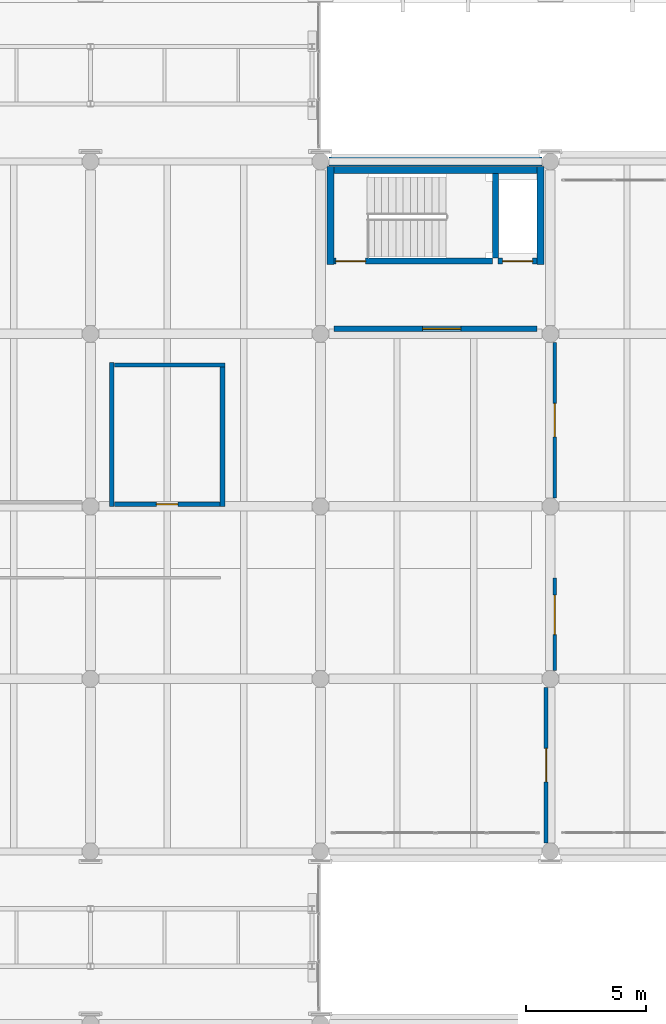
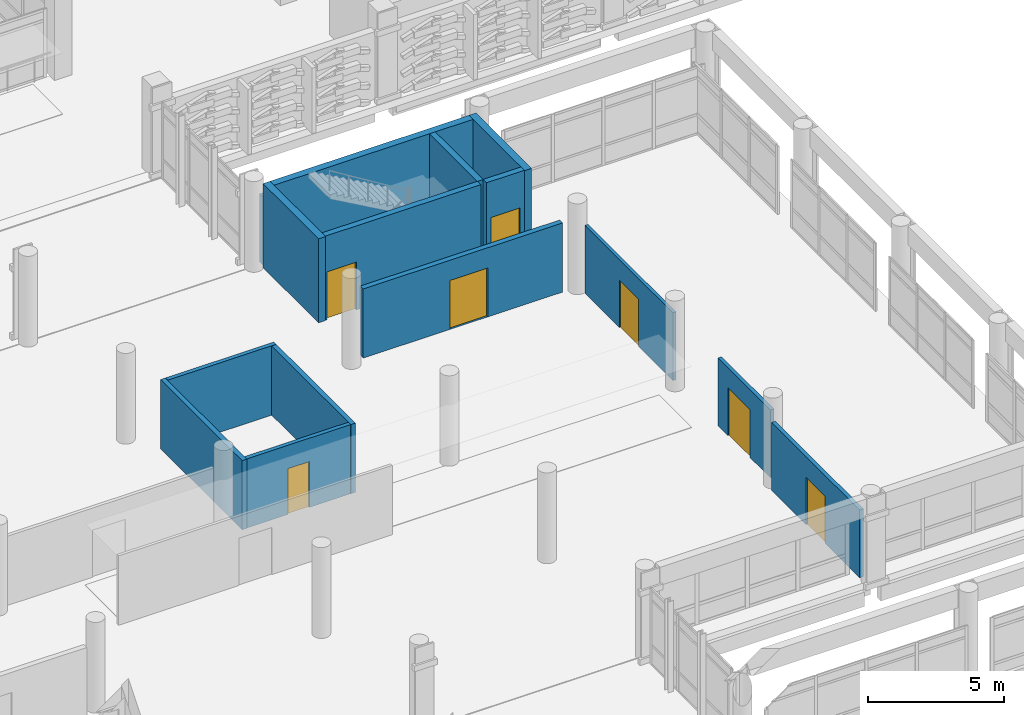
# One storey, part 152 of 180: 15 walls, 7 doors, 7 openings.
"""IFC4 building model written with IfcOpenShell, lengths in metres."""

import ifcopenshell
import ifcopenshell.guid

model = None  # the IFC model being written
_history = None  # IfcOwnerHistory: only IFC2X3 demands one
_inside = {}  # id of a spatial element -> (the spatial element, [elements in it])
_under = {}  # id of a project, library or spatial element -> (it, [spatial elements below it])
_declared = {}  # id of a project -> (the project, [libraries it declares])
_typed = {}  # id of a type object -> (the type object, [elements of that type])
_made_of = {}  # id of a material, layer set ... -> (it, [elements and type objects made of it])


def new_model(schema):
    """Start an empty IFC model of exactly this schema.

    Asked for "IFC4X3", IfcOpenShell would pick the latest addendum, in which some entities
    have other attributes; the version numbers below select the first issue.
    IFC2X3 requires an IfcOwnerHistory on every rooted entity: one is made here for all.
    """
    global model, _history
    if schema == "IFC4X3":
        model = ifcopenshell.file(schema_version=(4, 3, 0, 0))
    else:
        model = ifcopenshell.file(schema=schema)
    _inside.clear()
    _under.clear()
    _declared.clear()
    _typed.clear()
    _made_of.clear()
    _history = None
    if model.schema == "IFC2X3":
        org = make("IfcOrganization", Name="unknown")
        user = make(
            "IfcPersonAndOrganization",
            ThePerson=make("IfcPerson", FamilyName="unknown"),
            TheOrganization=org,
        )
        app = make(
            "IfcApplication",
            ApplicationDeveloper=org,
            Version="unknown",
            ApplicationFullName="unknown",
            ApplicationIdentifier="unknown",
        )
        _history = make(
            "IfcOwnerHistory",
            OwningUser=user,
            OwningApplication=app,
            ChangeAction="ADDED",
            CreationDate=0,
        )
    return model


def make(cls, **values):
    """One entity of the class cls with the attributes given. An attribute that is None is left unset."""
    return model.create_entity(
        cls, **{name: value for name, value in values.items() if value is not None}
    )


def rooted(cls, **values):
    """An entity with a GlobalId (a new one), such as an element, a storey or a relation."""
    return make(cls, GlobalId=ifcopenshell.guid.new(), OwnerHistory=_history, **values)


def si_unit(unit_type, name, prefix=None):
    """IfcSIUnit, for example si_unit("LENGTHUNIT", "METRE", prefix="MILLI")."""
    return make("IfcSIUnit", UnitType=unit_type, Prefix=prefix, Name=name)


def assignment(units):
    """IfcUnitAssignment: the units of a project."""
    return None if units is None else make("IfcUnitAssignment", Units=units)


def point(xyz):
    """IfcCartesianPoint."""
    return None if xyz is None else make("IfcCartesianPoint", Coordinates=xyz)


def direction(xyz):
    """IfcDirection."""
    return None if xyz is None else make("IfcDirection", DirectionRatios=xyz)


def frame(location, z_axis=None, x_axis=None):
    """IfcAxis2Placement3D, a coordinate frame: its origin and axes. An axis left out is left unset."""
    return make(
        "IfcAxis2Placement3D",
        Location=point(location),
        Axis=direction(z_axis),
        RefDirection=direction(x_axis),
    )


def frame_2d(location, x_axis=None):
    """IfcAxis2Placement2D, a coordinate frame in the plane: its origin and x axis."""
    return make(
        "IfcAxis2Placement2D", Location=point(location), RefDirection=direction(x_axis)
    )


def origin():
    """The frame at (0, 0, 0) with its axes left unset."""
    return frame((0.0, 0.0, 0.0))


def place(relative_to, where):
    """IfcLocalPlacement: puts the frame where relative to a parent placement (None: the world)."""
    return make(
        "IfcLocalPlacement", PlacementRelTo=relative_to, RelativePlacement=where
    )


def context(
    kind, dimensions, precision=None, world=None, true_north=None, identifier=None
):
    """IfcGeometricRepresentationContext, for example the 3D "Model" context."""
    return make(
        "IfcGeometricRepresentationContext",
        ContextIdentifier=identifier,
        ContextType=kind,
        CoordinateSpaceDimension=dimensions,
        Precision=precision,
        WorldCoordinateSystem=world,
        TrueNorth=true_north,
    )


def subcontext(parent, identifier, kind, view, scale=None):
    """IfcGeometricRepresentationSubContext, for example "Body" below "Model"."""
    return make(
        "IfcGeometricRepresentationSubContext",
        ContextIdentifier=identifier,
        ContextType=kind,
        ParentContext=parent,
        TargetScale=scale,
        TargetView=view,
    )


def project(units=None, contexts=None):
    """IfcProject with its units and contexts."""
    return rooted(
        "IfcProject",
        Name="project",
        RepresentationContexts=contexts,
        UnitsInContext=assignment(units),
    )


def spatial(cls, under=None, at=None, **own):
    """A site, building, storey or space (cls), placed at a placement, below another one or the project."""
    s = rooted(cls, ObjectPlacement=at, **own)
    if under is not None:
        _under.setdefault(under.id(), (under, []))[1].append(s)
    return s


def profile(cls, at=None, kind="AREA", **sizes):
    """A parametric profile (cls). Its sizes go by their IFC names, for example OverallWidth=200.0."""
    return make(cls, ProfileType=kind, Position=at, **sizes)


def rectangle(**sizes):
    """IfcRectangleProfileDef."""
    return profile("IfcRectangleProfileDef", **sizes)


def extrude(swept, where, along, depth):
    """IfcExtrudedAreaSolid: the profile swept, set in the frame where, extruded along a direction by depth."""
    return make(
        "IfcExtrudedAreaSolid",
        SweptArea=swept,
        Position=where,
        ExtrudedDirection=direction(along),
        Depth=depth,
    )


def shape(context_of_items, identifier, shape_type, items):
    """IfcShapeRepresentation: the items that make up one representation, for example the "Body"."""
    return make(
        "IfcShapeRepresentation",
        ContextOfItems=context_of_items,
        RepresentationIdentifier=identifier,
        RepresentationType=shape_type,
        Items=items,
    )


def material(Name=None, Category=None):
    """IfcMaterial."""
    return make("IfcMaterial", Name=Name, Category=Category)


def layer(
    of_material, thickness, ventilated=None, Name=None, Category=None, Priority=None
):
    """IfcMaterialLayer: one layer of a wall or slab, of a material (None: an air gap)."""
    return make(
        "IfcMaterialLayer",
        Material=of_material,
        LayerThickness=thickness,
        IsVentilated=ventilated,
        Name=Name,
        Category=Category,
        Priority=Priority,
    )


def layer_set(layers, Name=None):
    """IfcMaterialLayerSet."""
    return make("IfcMaterialLayerSet", MaterialLayers=layers, LayerSetName=Name)


def made_of(thing, what):
    """Note that an element or type object is made of a material, layer set ...; save() writes the relation."""
    if what is not None:
        _made_of.setdefault(what.id(), (what, []))[1].append(thing)
    return thing


def type_object(cls, material=None, **own):
    """A type object (cls), such as IfcWallType, which elements share."""
    return made_of(rooted(cls, **own), material)


def element(
    cls,
    number,
    at=None,
    inside=None,
    cuts=None,
    type_object=None,
    material=None,
    context=None,
    identifier="Body",
    shape_type=None,
    held_by="IfcProductDefinitionShape",
    body=None,
    shapes=None,
    **own,
):
    """One element of the class cls, such as IfcWall. Its Tag is "e" and its number.

    at: its placement. inside: the storey or other place that contains it. cuts: it is an
    opening in that element (IfcRelVoidsElement). A single representation is given by context,
    identifier, shape_type and body (its items); several are given by shapes. held_by: the class
    of the entity that holds the representations. save() writes the other relations.
    """
    e = rooted(cls, Tag="e%d" % number, ObjectPlacement=at, **own)
    if body is not None:
        shapes = [shape(context, identifier, shape_type, body)]
    if shapes is not None:
        e.Representation = make(held_by, Representations=shapes)
    if inside is not None:
        _inside.setdefault(inside.id(), (inside, []))[1].append(e)
    if cuts is not None:
        rooted(
            "IfcRelVoidsElement", RelatingBuildingElement=cuts, RelatedOpeningElement=e
        )
    if type_object is not None:
        _typed.setdefault(type_object.id(), (type_object, []))[1].append(e)
    return made_of(e, material)


def fill(opening, filler):
    """IfcRelFillsElement: the door or window that sits in an opening."""
    return rooted(
        "IfcRelFillsElement",
        RelatingOpeningElement=opening,
        RelatedBuildingElement=filler,
    )


def aggregate(whole, parts):
    """IfcRelAggregates: a whole, such as a stair, and the parts it consists of."""
    return rooted("IfcRelAggregates", RelatingObject=whole, RelatedObjects=parts)


def save(model, path):
    """Write the relations noted so far, then the file.

    IfcRelAggregates (storeys below a building ...), IfcRelContainedInSpatialStructure (elements
    in a storey), IfcRelDefinesByType, IfcRelAssociatesMaterial and IfcRelDeclares: one each for
    every whole, place, type object, material and project.
    """
    for whole, parts in _under.values():
        aggregate(whole, parts)
    for where, things in _inside.values():
        rooted(
            "IfcRelContainedInSpatialStructure",
            RelatedElements=things,
            RelatingStructure=where,
        )
    for kind, things in _typed.values():
        rooted("IfcRelDefinesByType", RelatedObjects=things, RelatingType=kind)
    for what, things in _made_of.values():
        rooted("IfcRelAssociatesMaterial", RelatedObjects=things, RelatingMaterial=what)
    for by, libraries in _declared.values():
        rooted("IfcRelDeclares", RelatingContext=by, RelatedDefinitions=libraries)
    model.write(path)


model = new_model("IFC4")

# Units and contexts
model_context = context("Model", 3, precision=1e-05, world=origin(), true_north=direction((0.0, 1.0)))
body_context = subcontext(model_context, "Body", "Model", "MODEL_VIEW")
ifc_project = project(units=[si_unit("LENGTHUNIT", "METRE"), si_unit("AREAUNIT", "SQUARE_METRE"), si_unit("VOLUMEUNIT", "CUBIC_METRE"), si_unit("PLANEANGLEUNIT", "RADIAN"), si_unit("MASSUNIT", "GRAM", prefix="KILO")], contexts=[model_context])

# Site, building, storey
site_placement = place(None, origin())
site = spatial("IfcSite", under=ifc_project, at=site_placement, CompositionType="ELEMENT")
building_placement = place(site_placement, origin())
building = spatial("IfcBuilding", under=site, at=building_placement, Name="Asteropetra Specialist Clinic", CompositionType="ELEMENT")
storey_placement = place(building_placement, frame((0.0, 0.0, 4.419921875)))
storey = spatial("IfcBuildingStorey", under=building, at=storey_placement, Name="L01", CompositionType="ELEMENT", Elevation=4.419921875)

# Wall
ifc_material_1 = material(Name="Pentelic marble ashlar", Category="masonry")
ifc_layer_1 = layer(ifc_material_1, 0.360107421875)
ifc_layer_set_1 = layer_set([ifc_layer_1], Name="Pentelic marble ashlar")
wall_type_1 = type_object("IfcWallType", Name="EW-PENTELIC-360", PredefinedType="SOLIDWALL", material=ifc_layer_set_1)
wall_1_placement = place(storey_placement, frame((38.050048828125, 62.39990234375, 0.0), z_axis=(0.0, 0.0, 1.0), x_axis=(-1.0, 0.0, 0.0)))
element("IfcWall", 1, at=wall_1_placement, inside=storey, type_object=wall_type_1, Name="Exterior Wall EW-0165", PredefinedType="SOLIDWALL", context=body_context, shape_type="SweptSolid", body=[
    extrude(rectangle(XDim=8.900146484375, YDim=0.360107421875, at=frame_2d((4.4501953125, 0.0))), origin(), (0.0, 0.0, 1.0), 3.06005859375),
])

# Wall, opening, door
ifc_material_2 = material(Name="Fire-rated masonry and gypsum", Category="masonry")
ifc_layer_2 = layer(ifc_material_2, 0.219970703125)
ifc_layer_set_2 = layer_set([ifc_layer_2], Name="Fire-rated masonry and gypsum")
wall_type_2 = type_object("IfcWallType", Name="W-COMP-220", PredefinedType="PARTITIONING", material=ifc_layer_set_2)
wall_2_placement = place(storey_placement, frame((29.360107421875, 55.419921875, 0.0), z_axis=(0.0, 0.0, 1.0), x_axis=(1.0, 0.0, 0.0)))
wall_2 = element("IfcWall", 2, at=wall_2_placement, inside=storey, type_object=wall_type_2, Name="Core Wall CW-C5-L01-LOB", PredefinedType="PARTITIONING", context=body_context, shape_type="SweptSolid", body=[
    extrude(rectangle(XDim=8.47998046875, YDim=0.219970703125, at=frame_2d((4.239990234375, 0.0))), origin(), (0.0, 0.0, 1.0), 3.110107421875),
])
opening_1_placement = place(wall_2_placement, frame((3.699951171875, 0.0, 0.0)))
opening_1 = element("IfcOpeningElement", 3, at=opening_1_placement, cuts=wall_2, Name="Opening FD-048", PredefinedType="OPENING", context=body_context, shape_type="SweptSolid", body=[
    extrude(rectangle(XDim=1.60009765625, YDim=2.199951171875, at=frame_2d((0.800048828125, 1.10009765625))), frame((0.0, 0.119873046875, 0.0), z_axis=(0.0, -1.0, 0.0), x_axis=(1.0, 0.0, 0.0)), (0.0, 0.0, 1.0), 0.239990234375),
])
ifc_material_3 = material(Name="Fire-rated steel and vision glass door", Category="steel")
door_type_1 = type_object("IfcDoorType", Name="FD-LOBBY-1600", OperationType="DOUBLE_DOOR_SINGLE_SWING", PredefinedType="DOOR", material=ifc_material_3)
door_1_placement = place(opening_1_placement, origin())
door_1 = element("IfcDoor", 4, at=door_1_placement, inside=storey, type_object=door_type_1, Name="Lobby Fire Door FD-048", OperationType="DOUBLE_DOOR_SINGLE_SWING", OverallHeight=2.199951171875, OverallWidth=1.60009765625, PredefinedType="DOOR", context=body_context, shape_type="SweptSolid", body=[
    extrude(rectangle(XDim=1.60009765625, YDim=2.199951171875, at=frame_2d((0.800048828125, 1.10009765625))), frame((0.0, 0.02490234375, 0.0), z_axis=(0.0, -1.0, 0.0), x_axis=(1.0, 0.0, 0.0)), (0.0, 0.0, 1.0), 0.050048828125),
])
fill(opening_1, door_1)

# Walls
ifc_material_4 = material(Name="Concrete C35/45", Category="concrete")
ifc_layer_3 = layer(ifc_material_4, 0.300048828125)
ifc_layer_set_3 = layer_set([ifc_layer_3], Name="Concrete C35/45")
wall_type_3 = type_object("IfcWallType", Name="W-CORE-300", PredefinedType="SHEAR", material=ifc_layer_set_3)
for number, where, z_axis, x_axis, name in (
    (5, (29.219970703125, 58.090087890625, 0.0), (0.0, 0.0, 1.0), (0.0, 1.0, 0.0), "Core Wall CW-C5-L01-W"),
    (6, (37.97998046875, 58.090087890625, 0.0), (0.0, 0.0, 1.0), (0.0, 1.0, 0.0), "Core Wall CW-C5-L01-E"),
):
    element("IfcWall", number, at=place(storey_placement, frame(where, z_axis=z_axis, x_axis=x_axis)), inside=storey, type_object=wall_type_3, Name=name, PredefinedType="SHEAR", context=body_context, shape_type="SweptSolid", body=[
        extrude(rectangle(XDim=4.099853515625, YDim=0.300048828125, at=frame_2d((2.0498046875, 0.0))), origin(), (0.0, 0.0, 1.0), 3.780029296875),
    ])
wall_3_placement = place(storey_placement, frame((29.364990234375, 62.0400390625, 0.0), z_axis=(0.0, 0.0, 1.0), x_axis=(1.0, 0.0, 0.0)))
element("IfcWall", 7, at=wall_3_placement, inside=storey, type_object=wall_type_3, Name="Core Wall CW-C5-L01-BACK", PredefinedType="SHEAR", context=body_context, shape_type="SweptSolid", body=[
    extrude(rectangle(XDim=8.469970703125, YDim=0.300048828125, at=frame_2d((4.23486328125, 0.0))), origin(), (0.0, 0.0, 1.0), 3.780029296875),
])

# Wall, opening, door
ifc_material_5 = material(Name="Office and seminar partition", Category="masonry")
ifc_layer_4 = layer(ifc_material_5, 0.1298828125)
ifc_layer_set_4 = layer_set([ifc_layer_4], Name="Office and seminar partition")
wall_type_4 = type_object("IfcWallType", Name="W-PART-130", PredefinedType="PARTITIONING", material=ifc_layer_set_4)
wall_4_placement = place(storey_placement, frame((38.580078125, 48.35498046875, 0.0), z_axis=(0.0, 0.0, 1.0), x_axis=(0.0, 1.0, 0.0)))
wall_4 = element("IfcWall", 8, at=wall_4_placement, inside=storey, type_object=wall_type_4, Name="Interior Partition PW-0113", PredefinedType="PARTITIONING", context=body_context, shape_type="SweptSolid", body=[
    extrude(rectangle(XDim=6.489990234375, YDim=0.1298828125, at=frame_2d((3.2451171875, 0.0))), origin(), (0.0, 0.0, 1.0), 3.050048828125),
])
opening_2_placement = place(wall_4_placement, frame((2.544921875, 0.0, 0.0)))
opening_2 = element("IfcOpeningElement", 9, at=opening_2_placement, cuts=wall_4, Name="Opening ID-0073", PredefinedType="OPENING", context=body_context, shape_type="SweptSolid", body=[
    extrude(rectangle(XDim=1.39990234375, YDim=2.1201171875, at=frame_2d((0.699951171875, 1.06005859375))), frame((0.0, 0.074951171875, 0.0), z_axis=(0.0, -1.0, 0.0), x_axis=(1.0, 0.0, 0.0)), (0.0, 0.0, 1.0), 0.14990234375),
])
ifc_material_6 = material(Name="Antimicrobial laminate timber leaf in steel frame", Category="steel")
door_type_2 = type_object("IfcDoorType", Name="ID-WARD-1400", OperationType="NOTDEFINED", PredefinedType="DOOR", material=ifc_material_6)
door_2_placement = place(opening_2_placement, origin())
door_2 = element("IfcDoor", 10, at=door_2_placement, inside=storey, type_object=door_type_2, Name="Interior Door ID-0073", OperationType="SINGLE_SWING_RIGHT", OverallHeight=2.1201171875, OverallWidth=1.39990234375, PredefinedType="DOOR", context=body_context, shape_type="SweptSolid", body=[
    extrude(rectangle(XDim=1.39990234375, YDim=2.1201171875, at=frame_2d((0.699951171875, 1.06005859375))), frame((0.0, 0.02490234375, 0.0), z_axis=(0.0, -1.0, 0.0), x_axis=(1.0, 0.0, 0.0)), (0.0, 0.0, 1.0), 0.050048828125),
])
fill(opening_2, door_2)

ifc_material_7 = material(Name="Clinical consulting partition", Category="masonry")
ifc_layer_5 = layer(ifc_material_7, 0.14990234375)
ifc_layer_set_5 = layer_set([ifc_layer_5], Name="Clinical consulting partition")
wall_type_5 = type_object("IfcWallType", Name="W-PART-150", PredefinedType="PARTITIONING", material=ifc_layer_set_5)
wall_5_placement = place(storey_placement, frame((38.580078125, 41.155029296875, 0.0), z_axis=(0.0, 0.0, 1.0), x_axis=(0.0, 1.0, 0.0)))
wall_5 = element("IfcWall", 11, at=wall_5_placement, inside=storey, type_object=wall_type_5, Name="Interior Partition PW-0111", PredefinedType="PARTITIONING", context=body_context, shape_type="SweptSolid", body=[
    extrude(rectangle(XDim=3.864990234375, YDim=0.14990234375, at=frame_2d((1.9326171875, 0.0))), origin(), (0.0, 0.0, 1.0), 3.050048828125),
])
opening_3_placement = place(wall_5_placement, frame((1.493896484375, 0.0, 0.0)))
opening_3 = element("IfcOpeningElement", 12, at=opening_3_placement, cuts=wall_5, Name="Opening ID-0071", PredefinedType="OPENING", context=body_context, shape_type="SweptSolid", body=[
    extrude(rectangle(XDim=1.64990234375, YDim=2.14990234375, at=frame_2d((0.824951171875, 1.074951171875))), frame((0.0, 0.0849609375, 0.0), z_axis=(0.0, -1.0, 0.0), x_axis=(1.0, 0.0, 0.0)), (0.0, 0.0, 1.0), 0.169921875),
])
ifc_material_8 = material(Name="Antimicrobial laminate timber leaf in steel frame", Category="steel")
door_type_3 = type_object("IfcDoorType", Name="ID-PROC-1650", OperationType="DOUBLE_DOOR_SINGLE_SWING", PredefinedType="DOOR", material=ifc_material_8)
door_3_placement = place(opening_3_placement, origin())
door_3 = element("IfcDoor", 13, at=door_3_placement, inside=storey, type_object=door_type_3, Name="Interior Door ID-0071", OperationType="DOUBLE_DOOR_SINGLE_SWING", OverallHeight=2.14990234375, OverallWidth=1.64990234375, PredefinedType="DOOR", context=body_context, shape_type="SweptSolid", body=[
    extrude(rectangle(XDim=1.64990234375, YDim=2.14990234375, at=frame_2d((0.824951171875, 1.074951171875))), frame((0.0, 0.02490234375, 0.0), z_axis=(0.0, -1.0, 0.0), x_axis=(1.0, 0.0, 0.0)), (0.0, 0.0, 1.0), 0.050048828125),
])
fill(opening_3, door_3)

ifc_material_9 = material(Name="Acoustic clinical stud partition", Category="masonry")
ifc_layer_6 = layer(ifc_material_9, 0.159912109375)
ifc_layer_set_6 = layer_set([ifc_layer_6], Name="Acoustic clinical stud partition")
wall_type_6 = type_object("IfcWallType", Name="W-PART-160", PredefinedType="PARTITIONING", material=ifc_layer_set_6)
wall_6_placement = place(storey_placement, frame((38.219970703125, 33.955078125, 0.0), z_axis=(0.0, 0.0, 1.0), x_axis=(0.0, 1.0, 0.0)))
wall_6 = element("IfcWall", 14, at=wall_6_placement, inside=storey, type_object=wall_type_6, Name="Interior Partition PW-0110", PredefinedType="PARTITIONING", context=body_context, shape_type="SweptSolid", body=[
    extrude(rectangle(XDim=6.489990234375, YDim=0.159912109375, at=frame_2d((3.2451171875, 0.0))), origin(), (0.0, 0.0, 1.0), 3.050048828125),
])
opening_4_placement = place(wall_6_placement, frame((2.544921875, 0.0, 0.0)))
opening_4 = element("IfcOpeningElement", 15, at=opening_4_placement, cuts=wall_6, Name="Opening ID-0070", PredefinedType="OPENING", context=body_context, shape_type="SweptSolid", body=[
    extrude(rectangle(XDim=1.39990234375, YDim=2.1201171875, at=frame_2d((0.699951171875, 1.06005859375))), frame((0.0, 0.08984375, 0.0), z_axis=(0.0, -1.0, 0.0), x_axis=(1.0, 0.0, 0.0)), (0.0, 0.0, 1.0), 0.179931640625),
])
door_4_placement = place(opening_4_placement, origin())
door_4 = element("IfcDoor", 16, at=door_4_placement, inside=storey, type_object=door_type_2, Name="Interior Door ID-0070", OperationType="SINGLE_SWING_LEFT", OverallHeight=2.1201171875, OverallWidth=1.39990234375, PredefinedType="DOOR", context=body_context, shape_type="SweptSolid", body=[
    extrude(rectangle(XDim=1.39990234375, YDim=2.1201171875, at=frame_2d((0.699951171875, 1.06005859375))), frame((0.0, 0.02490234375, 0.0), z_axis=(0.0, -1.0, 0.0), x_axis=(1.0, 0.0, 0.0)), (0.0, 0.0, 1.0), 0.050048828125),
])
fill(opening_4, door_4)

# Wall
ifc_material_10 = material(Name="En-suite plumbing wall", Category="masonry")
ifc_layer_7 = layer(ifc_material_10, 0.169921875)
ifc_layer_set_7 = layer_set([ifc_layer_7], Name="En-suite plumbing wall")
wall_type_7 = type_object("IfcWallType", Name="W-PLUMB-170", PredefinedType="PLUMBINGWALL", material=ifc_layer_set_7)
wall_7_placement = place(storey_placement, frame((20.19189453125, 53.909912109375, 0.0), z_axis=(0.0, 0.0, 1.0), x_axis=(1.0, 0.0, 0.0)))
element("IfcWall", 17, at=wall_7_placement, inside=storey, type_object=wall_type_7, Name="Interior Partition PW-0085", PredefinedType="PLUMBINGWALL", context=body_context, shape_type="SweptSolid", body=[
    extrude(rectangle(XDim=4.613037109375, YDim=0.169921875, at=frame_2d((2.306640625, 0.0))), origin(), (0.0, 0.0, 1.0), 3.1201171875),
])

# Wall, opening, door
wall_8_placement = place(storey_placement, frame((20.19189453125, 48.090087890625, 0.0), z_axis=(0.0, 0.0, 1.0), x_axis=(1.0, 0.0, 0.0)))
wall_8 = element("IfcWall", 18, at=wall_8_placement, inside=storey, type_object=wall_type_7, Name="Interior Partition PW-0087", PredefinedType="PLUMBINGWALL", context=body_context, shape_type="SweptSolid", body=[
    extrude(rectangle(XDim=4.416015625, YDim=0.169921875, at=frame_2d((2.2080078125, 0.0))), origin(), (0.0, 0.0, 1.0), 3.110107421875),
])
opening_5_placement = place(wall_8_placement, frame((1.758056640625, 0.0, 0.0)))
opening_5 = element("IfcOpeningElement", 19, at=opening_5_placement, cuts=wall_8, Name="Opening ID-0051", PredefinedType="OPENING", context=body_context, shape_type="SweptSolid", body=[
    extrude(rectangle(XDim=0.89990234375, YDim=2.06005859375, at=frame_2d((0.449951171875, 1.030029296875))), frame((0.0, 0.094970703125, 0.0), z_axis=(0.0, -1.0, 0.0), x_axis=(1.0, 0.0, 0.0)), (0.0, 0.0, 1.0), 0.18994140625),
])
ifc_material_11 = material(Name="Antimicrobial laminate timber leaf in steel frame", Category="steel")
door_type_4 = type_object("IfcDoorType", Name="ID-ENS-0900", OperationType="SINGLE_SWING_RIGHT", PredefinedType="DOOR", material=ifc_material_11)
door_5_placement = place(opening_5_placement, origin())
door_5 = element("IfcDoor", 20, at=door_5_placement, inside=storey, type_object=door_type_4, Name="Interior Door ID-0051", OperationType="SINGLE_SWING_RIGHT", OverallHeight=2.06005859375, OverallWidth=0.89990234375, PredefinedType="DOOR", context=body_context, shape_type="SweptSolid", body=[
    extrude(rectangle(XDim=0.89990234375, YDim=2.06005859375, at=frame_2d((0.449951171875, 1.030029296875))), frame((0.0, 0.02490234375, 0.0), z_axis=(0.0, -1.0, 0.0), x_axis=(1.0, 0.0, 0.0)), (0.0, 0.0, 1.0), 0.050048828125),
])
fill(opening_5, door_5)

# Walls
ifc_material_12 = material(Name="Sanitary service-chase wall", Category="masonry")
ifc_layer_8 = layer(ifc_material_12, 0.199951171875)
ifc_layer_set_8 = layer_set([ifc_layer_8], Name="Sanitary service-chase wall")
wall_type_8 = type_object("IfcWallType", Name="W-PLUMB-200", PredefinedType="PLUMBINGWALL", material=ifc_layer_set_8)
wall_9_placement = place(storey_placement, frame((20.090087890625, 47.9951171875, 0.0), z_axis=(0.0, 0.0, 1.0), x_axis=(0.0, 1.0, 0.0)))
element("IfcWall", 21, at=wall_9_placement, inside=storey, type_object=wall_type_8, Name="Interior Partition PW-0084", PredefinedType="PLUMBINGWALL", context=body_context, shape_type="SweptSolid", body=[
    extrude(rectangle(XDim=6.009765625, YDim=0.199951171875, at=frame_2d((3.0048828125, 0.0))), origin(), (0.0, 0.0, 1.0), 3.110107421875),
])
wall_10_placement = place(storey_placement, frame((24.7099609375, 47.9951171875, 0.0), z_axis=(0.0, 0.0, 1.0), x_axis=(0.0, 1.0, 0.0)))
element("IfcWall", 22, at=wall_10_placement, inside=storey, type_object=wall_type_8, Name="Interior Partition PW-0086", PredefinedType="PLUMBINGWALL", context=body_context, shape_type="SweptSolid", body=[
    extrude(rectangle(XDim=5.827880859375, YDim=0.199951171875, at=frame_2d((2.9140625, 0.0))), origin(), (0.0, 0.0, 1.0), 3.110107421875),
])
ifc_material_13 = material(Name="Concrete C35/45", Category="concrete")
ifc_layer_9 = layer(ifc_material_13, 0.25)
ifc_layer_set_9 = layer_set([ifc_layer_9], Name="Concrete C35/45")
wall_type_9 = type_object("IfcWallType", Name="W-SHAFT-250", PredefinedType="SHEAR", material=ifc_layer_set_9)
wall_11_placement = place(storey_placement, frame((36.10009765625, 58.360107421875, 0.0), z_axis=(0.0, 0.0, 1.0), x_axis=(0.0, 1.0, 0.0)))
element("IfcWall", 23, at=wall_11_placement, inside=storey, type_object=wall_type_9, Name="Core Wall CW-C5-L01-MID", PredefinedType="SHEAR", context=body_context, shape_type="SweptSolid", body=[
    extrude(rectangle(XDim=3.52978515625, YDim=0.25, at=frame_2d((1.764892578125, 0.0))), origin(), (0.0, 0.0, 1.0), 3.780029296875),
])

# Wall, opening, door
wall_12_placement = place(storey_placement, frame((29.364990234375, 58.239990234375, 0.0), z_axis=(0.0, 0.0, 1.0), x_axis=(1.0, 0.0, 0.0)))
wall_12 = element("IfcWall", 24, at=wall_12_placement, inside=storey, type_object=wall_type_9, Name="Core Wall CW-C5-L01-STDIV", PredefinedType="SHEAR", context=body_context, shape_type="SweptSolid", body=[
    extrude(rectangle(XDim=6.614990234375, YDim=0.25, at=frame_2d((3.3076171875, 0.0))), origin(), (0.0, 0.0, 1.0), 3.780029296875),
])
opening_6_placement = place(wall_12_placement, frame((0.080078125, 0.0, 0.0)))
opening_6 = element("IfcOpeningElement", 25, at=opening_6_placement, cuts=wall_12, Name="Opening FD-047", PredefinedType="OPENING", context=body_context, shape_type="SweptSolid", body=[
    extrude(rectangle(XDim=1.239990234375, YDim=2.14990234375, at=frame_2d((0.6201171875, 1.074951171875))), frame((0.0, 0.135009765625, 0.0), z_axis=(0.0, -1.0, 0.0), x_axis=(1.0, 0.0, 0.0)), (0.0, 0.0, 1.0), 0.27001953125),
])
ifc_material_14 = material(Name="Fire-rated steel and vision glass door", Category="steel")
door_type_5 = type_object("IfcDoorType", Name="FD-STAIR-1400", OperationType="DOUBLE_DOOR_SINGLE_SWING", PredefinedType="DOOR", material=ifc_material_14)
door_6_placement = place(opening_6_placement, origin())
door_6 = element("IfcDoor", 26, at=door_6_placement, inside=storey, type_object=door_type_5, Name="Stair Fire Door FD-047", OperationType="DOUBLE_DOOR_SINGLE_SWING", OverallHeight=2.14990234375, OverallWidth=1.239990234375, PredefinedType="DOOR", context=body_context, shape_type="SweptSolid", body=[
    extrude(rectangle(XDim=1.239990234375, YDim=2.14990234375, at=frame_2d((0.6201171875, 1.074951171875))), frame((0.0, 0.02490234375, 0.0), z_axis=(0.0, -1.0, 0.0), x_axis=(1.0, 0.0, 0.0)), (0.0, 0.0, 1.0), 0.050048828125),
])
fill(opening_6, door_6)

wall_13_placement = place(storey_placement, frame((36.219970703125, 58.239990234375, 0.0), z_axis=(0.0, 0.0, 1.0), x_axis=(1.0, 0.0, 0.0)))
wall_13 = element("IfcWall", 27, at=wall_13_placement, inside=storey, type_object=wall_type_9, Name="Lift Shaft Front Wall CW-C5-L01-LFTF", PredefinedType="SHEAR", context=body_context, shape_type="SweptSolid", body=[
    extrude(rectangle(XDim=1.614990234375, YDim=0.25, at=frame_2d((0.8076171875, 0.0))), origin(), (0.0, 0.0, 1.0), 3.780029296875),
])
opening_7_placement = place(wall_13_placement, frame((0.1826171875, 0.0, 0.0)))
opening_7 = element("IfcOpeningElement", 28, at=opening_7_placement, cuts=wall_13, Name="Opening LD-024", PredefinedType="OPENING", context=body_context, shape_type="SweptSolid", body=[
    extrude(rectangle(XDim=1.25, YDim=2.14990234375, at=frame_2d((0.625, 1.074951171875))), frame((0.0, 0.135009765625, 0.0), z_axis=(0.0, -1.0, 0.0), x_axis=(1.0, 0.0, 0.0)), (0.0, 0.0, 1.0), 0.27001953125),
])
ifc_material_15 = material(Name="Brushed stainless steel sliding lift landing door", Category="steel")
door_type_6 = type_object("IfcDoorType", Name="LD-SERV-1250", OperationType="DOUBLE_DOOR_SLIDING", PredefinedType="DOOR", material=ifc_material_15)
door_7_placement = place(opening_7_placement, origin())
door_7 = element("IfcDoor", 29, at=door_7_placement, inside=storey, type_object=door_type_6, Name="Lift Landing Door LD-024", OperationType="DOUBLE_DOOR_SLIDING", OverallHeight=2.14990234375, OverallWidth=1.25, PredefinedType="DOOR", context=body_context, shape_type="SweptSolid", body=[
    extrude(rectangle(XDim=1.25, YDim=2.14990234375, at=frame_2d((0.625, 1.074951171875))), frame((0.0, 0.02490234375, 0.0), z_axis=(0.0, -1.0, 0.0), x_axis=(1.0, 0.0, 0.0)), (0.0, 0.0, 1.0), 0.050048828125),
])
fill(opening_7, door_7)

save(model, "model.ifc")
